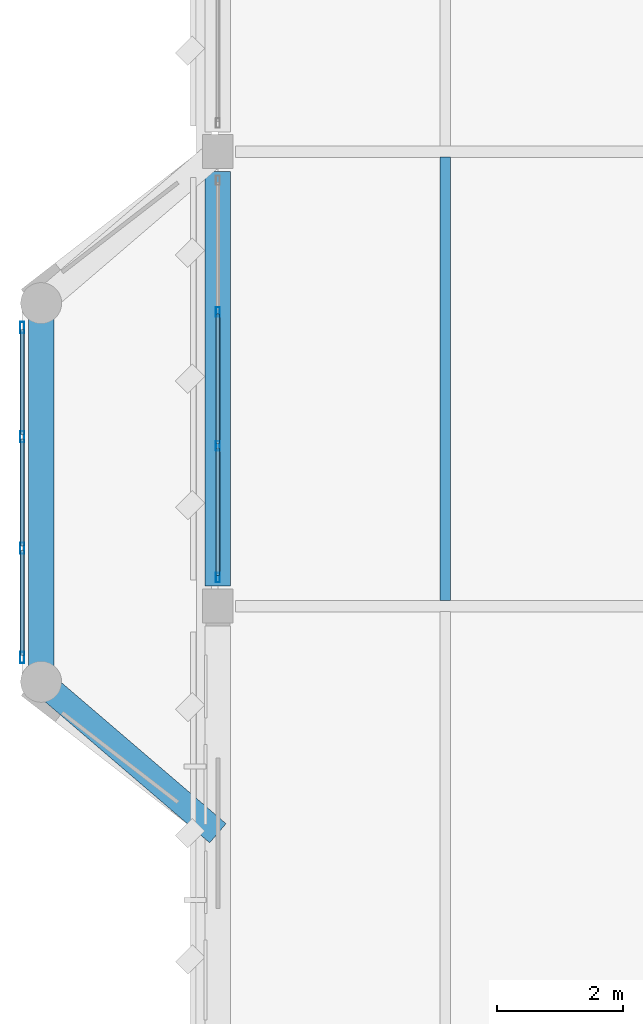
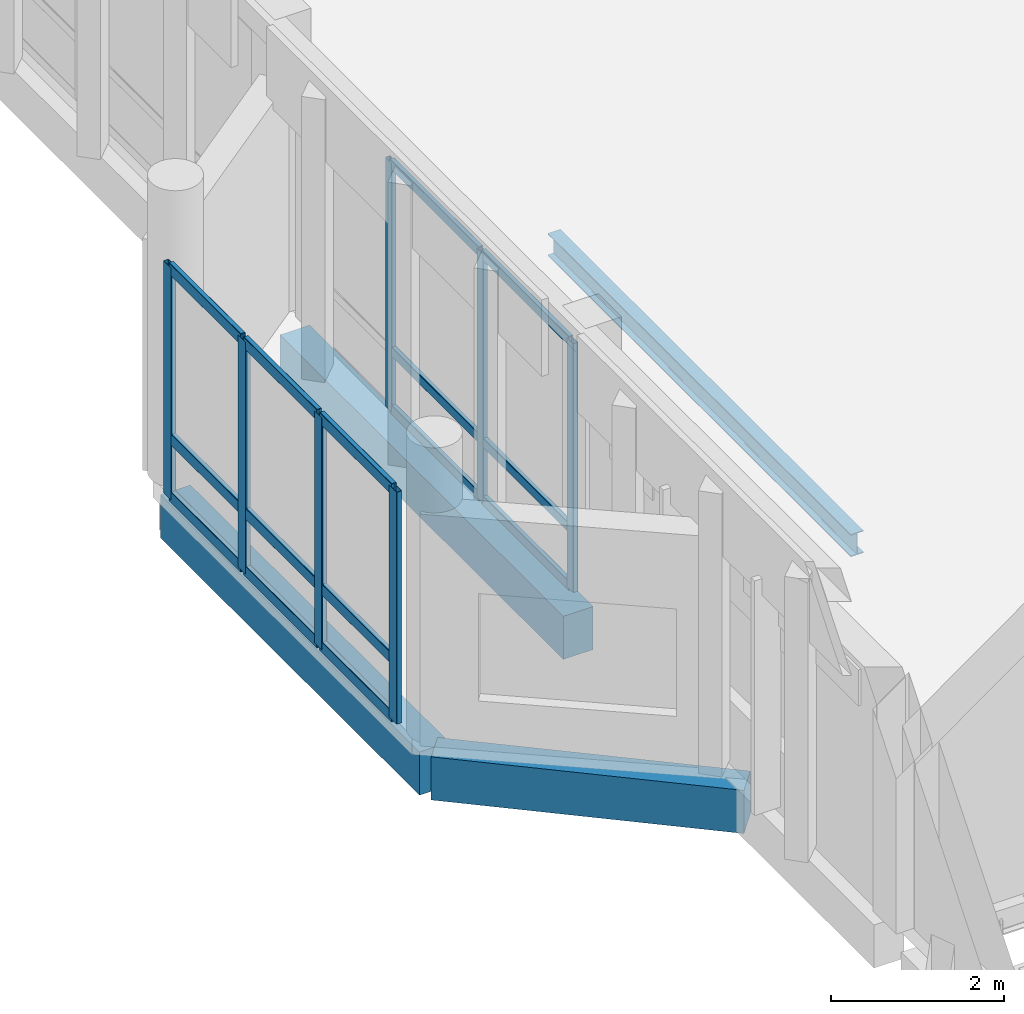
# One storey, part 13 of 72: 22 members, 4 beams, 2 elements without a shape of their own.
"""IFC4 building model written with IfcOpenShell, lengths in metres."""

from ifc_helpers import new_model, si_unit, direction, frame, origin, origin_2d, place, context, subcontext, project, spatial, rectangle, hollow_rectangle, i_section, extrude, material, material_profile, profile_set, type_object, element, aggregate, save


model = new_model("IFC4")

# Units and contexts
model_context = context("Model", 3, precision=1e-05, world=origin(), true_north=direction((0.0, 1.0)))
body_context = subcontext(model_context, "Body", "Model", "MODEL_VIEW")
ifc_project = project(units=[si_unit("LENGTHUNIT", "METRE"), si_unit("AREAUNIT", "SQUARE_METRE"), si_unit("VOLUMEUNIT", "CUBIC_METRE"), si_unit("PLANEANGLEUNIT", "RADIAN"), si_unit("MASSUNIT", "GRAM", prefix="KILO")], contexts=[model_context])

# Site, building, storey
site_placement = place(None, origin())
site = spatial("IfcSite", under=ifc_project, at=site_placement, CompositionType="ELEMENT")
building_placement = place(site_placement, origin())
building = spatial("IfcBuilding", under=site, at=building_placement, Name="Lusvemor Sports Hall", CompositionType="ELEMENT")
storey_placement = place(building_placement, frame((0.0, 0.0, 15.0)))
storey = spatial("IfcBuildingStorey", under=building, at=storey_placement, Name="L03", CompositionType="ELEMENT", Elevation=15.0)

# Curtain wall, members
ifc_material_1 = material(Name="Thermally broken bronze-anodized aluminium", Category="aluminium")
curtain_wall_type_1 = type_object("IfcCurtainWallType", Name="CW_FOYER_A", PredefinedType="NOTDEFINED", material=ifc_material_1)
curtain_wall_1_placement = place(storey_placement, origin())
curtain_wall_1 = element("IfcCurtainWall", 1, at=curtain_wall_1_placement, inside=storey, type_object=curtain_wall_type_1, Name="Curtain Wall CW-BOW-W2-L03-M", PredefinedType="NOTDEFINED")
ifc_material_2 = material(Name="Thermally broken bronze-anodized aluminium", Category="aluminium")
ifc_material_profile_1 = material_profile(ifc_material_2, hollow_rectangle(XDim=0.070068359375, YDim=0.179931640625, WallThickness=0.0048828125, InnerFilletRadius=0.0048828125, OuterFilletRadius=0.010009765625, at=origin_2d()), Name="CWMUL180x70x5")
ifc_profile_set_1 = profile_set([ifc_material_profile_1], Name="Thermally broken bronze-anodized aluminium")
member_type_1 = type_object("IfcMemberType", Name="CW_MUL_A", PredefinedType="MULLION", material=ifc_profile_set_1)
member_1_placement = place(storey_placement, frame((-3.10009765625, 81.985107421875, 0.0), z_axis=(0.0, 0.0, 1.0), x_axis=(-1.0, 0.0, 0.0)))
member_1 = element("IfcMember", 2, at=member_1_placement, type_object=member_type_1, Name="CW01 mullion 1", PredefinedType="MULLION", context=body_context, shape_type="SweptSolid", body=[
    extrude(hollow_rectangle(XDim=0.070068359375, YDim=0.179931640625, WallThickness=0.0048828125, InnerFilletRadius=0.0048828125, OuterFilletRadius=0.010009765625, at=origin_2d()), origin(), (0.0, 0.0, 1.0), 3.280029296875),
])
member_2_placement = place(storey_placement, frame((-3.10009765625, 83.716552734375, 0.0), z_axis=(0.0, 0.0, 1.0), x_axis=(-1.0, 0.0, 0.0)))
member_2 = element("IfcMember", 3, at=member_2_placement, type_object=member_type_1, Name="CW01 mullion 2", PredefinedType="MULLION", context=body_context, shape_type="SweptSolid", body=[
    extrude(hollow_rectangle(XDim=0.070068359375, YDim=0.179931640625, WallThickness=0.0048828125, InnerFilletRadius=0.0048828125, OuterFilletRadius=0.010009765625, at=origin_2d()), origin(), (0.0, 0.0, 1.0), 3.280029296875),
])
member_3_placement = place(storey_placement, frame((-3.10009765625, 85.4833984375, 0.0), z_axis=(0.0, 0.0, 1.0), x_axis=(-1.0, 0.0, 0.0)))
member_3 = element("IfcMember", 4, at=member_3_placement, type_object=member_type_1, Name="CW01 mullion 3", PredefinedType="MULLION", context=body_context, shape_type="SweptSolid", body=[
    extrude(hollow_rectangle(XDim=0.070068359375, YDim=0.179931640625, WallThickness=0.0048828125, InnerFilletRadius=0.0048828125, OuterFilletRadius=0.010009765625, at=origin_2d()), origin(), (0.0, 0.0, 1.0), 3.280029296875),
])
member_4_placement = place(storey_placement, frame((-3.10009765625, 87.215087890625, 0.0), z_axis=(0.0, 0.0, 1.0), x_axis=(-1.0, 0.0, 0.0)))
member_4 = element("IfcMember", 5, at=member_4_placement, type_object=member_type_1, Name="CW01 mullion 4", PredefinedType="MULLION", context=body_context, shape_type="SweptSolid", body=[
    extrude(hollow_rectangle(XDim=0.070068359375, YDim=0.179931640625, WallThickness=0.0048828125, InnerFilletRadius=0.0048828125, OuterFilletRadius=0.010009765625, at=origin_2d()), origin(), (0.0, 0.0, 1.0), 3.280029296875),
])

ifc_material_3 = material(Name="Thermally broken bronze-anodized aluminium", Category="aluminium")
curtain_wall_type_2 = type_object("IfcCurtainWallType", Name="CW_WING_B", PredefinedType="NOTDEFINED", material=ifc_material_3)
curtain_wall_2_placement = place(storey_placement, origin())
curtain_wall_2 = element("IfcCurtainWall", 6, at=curtain_wall_2_placement, inside=storey, type_object=curtain_wall_type_2, Name="Curtain Wall CW-L03-W-0-4", PredefinedType="NOTDEFINED")
ifc_material_4 = material(Name="Thermally broken bronze-anodized aluminium", Category="aluminium")
ifc_material_profile_2 = material_profile(ifc_material_4, hollow_rectangle(XDim=0.06494140625, YDim=0.14990234375, WallThickness=0.00390625, InnerFilletRadius=0.00390625, OuterFilletRadius=0.008056640625, at=origin_2d()), Name="CWMUL150x65x4")
ifc_profile_set_2 = profile_set([ifc_material_profile_2], Name="Thermally broken bronze-anodized aluminium")
member_type_2 = type_object("IfcMemberType", Name="CW_MUL_B", PredefinedType="MULLION", material=ifc_profile_set_2)
member_5_placement = place(storey_placement, frame((0.0, 83.25244140625, 0.0), z_axis=(0.0, 0.0, 1.0), x_axis=(-1.0, 0.0, 0.0)))
member_5 = element("IfcMember", 7, at=member_5_placement, type_object=member_type_2, Name="CW02 mullion 1", PredefinedType="MULLION", context=body_context, shape_type="SweptSolid", body=[
    extrude(hollow_rectangle(XDim=0.06494140625, YDim=0.14990234375, WallThickness=0.00390625, InnerFilletRadius=0.00390625, OuterFilletRadius=0.008056640625, at=origin_2d()), origin(), (0.0, 0.0, 1.0), 3.52001953125),
])
member_6_placement = place(storey_placement, frame((0.0, 85.340087890625, 0.0), z_axis=(0.0, 0.0, 1.0), x_axis=(-1.0, 0.0, 0.0)))
member_6 = element("IfcMember", 8, at=member_6_placement, type_object=member_type_2, Name="CW02 mullion 2", PredefinedType="MULLION", context=body_context, shape_type="SweptSolid", body=[
    extrude(hollow_rectangle(XDim=0.06494140625, YDim=0.14990234375, WallThickness=0.00390625, InnerFilletRadius=0.00390625, OuterFilletRadius=0.008056640625, at=origin_2d()), origin(), (0.0, 0.0, 1.0), 3.52001953125),
])
member_7_placement = place(storey_placement, frame((0.0, 87.4599609375, 0.0), z_axis=(0.0, 0.0, 1.0), x_axis=(-1.0, 0.0, 0.0)))
member_7 = element("IfcMember", 9, at=member_7_placement, type_object=member_type_2, Name="CW02 mullion 3", PredefinedType="MULLION", context=body_context, shape_type="SweptSolid", body=[
    extrude(hollow_rectangle(XDim=0.06494140625, YDim=0.14990234375, WallThickness=0.00390625, InnerFilletRadius=0.00390625, OuterFilletRadius=0.008056640625, at=origin_2d()), origin(), (0.0, 0.0, 1.0), 3.52001953125),
])

# Member
ifc_material_5 = material(Name="Thermally broken bronze-anodized aluminium", Category="aluminium")
ifc_material_profile_3 = material_profile(ifc_material_5, hollow_rectangle(XDim=0.06494140625, YDim=0.159912109375, WallThickness=0.00390625, InnerFilletRadius=0.00390625, OuterFilletRadius=0.008056640625, at=origin_2d()), Name="CWTRN160x65x4")
ifc_profile_set_3 = profile_set([ifc_material_profile_3], Name="Thermally broken bronze-anodized aluminium")
member_type_3 = type_object("IfcMemberType", Name="CW_TRN_A", PredefinedType="USERDEFINED", material=ifc_profile_set_3)
member_8_placement = place(storey_placement, frame((-3.10009765625, 82.02001953125, 0.032470703125), z_axis=(0.0, 1.0, 0.0), x_axis=(-1.0, 0.0, 0.0)))
member_8 = element("IfcMember", 10, at=member_8_placement, type_object=member_type_3, Name="CW01 transom 1.1", ObjectType="TRANSOM", PredefinedType="USERDEFINED", context=body_context, shape_type="SweptSolid", body=[
    extrude(hollow_rectangle(XDim=0.06494140625, YDim=0.159912109375, WallThickness=0.00390625, InnerFilletRadius=0.00390625, OuterFilletRadius=0.008056640625, at=origin_2d()), origin(), (0.0, 0.0, 1.0), 1.66162109375),
])

member_9_placement = place(storey_placement, frame((-3.10009765625, 82.02001953125, 0.85009765625), z_axis=(0.0, 1.0, 0.0), x_axis=(-1.0, 0.0, 0.0)))
member_9 = element("IfcMember", 11, at=member_9_placement, type_object=member_type_3, Name="CW01 transom 1.2", ObjectType="TRANSOM", PredefinedType="USERDEFINED", context=body_context, shape_type="SweptSolid", body=[
    extrude(hollow_rectangle(XDim=0.06494140625, YDim=0.159912109375, WallThickness=0.00390625, InnerFilletRadius=0.00390625, OuterFilletRadius=0.008056640625, at=origin_2d()), origin(), (0.0, 0.0, 1.0), 1.66162109375),
])

member_10_placement = place(storey_placement, frame((-3.10009765625, 82.02001953125, 3.24755859375), z_axis=(0.0, 1.0, 0.0), x_axis=(-1.0, 0.0, 0.0)))
member_10 = element("IfcMember", 12, at=member_10_placement, type_object=member_type_3, Name="CW01 transom 1.3", ObjectType="TRANSOM", PredefinedType="USERDEFINED", context=body_context, shape_type="SweptSolid", body=[
    extrude(hollow_rectangle(XDim=0.06494140625, YDim=0.159912109375, WallThickness=0.00390625, InnerFilletRadius=0.00390625, OuterFilletRadius=0.008056640625, at=origin_2d()), origin(), (0.0, 0.0, 1.0), 1.66162109375),
])

member_11_placement = place(storey_placement, frame((-3.10009765625, 83.751708984375, 0.032470703125), z_axis=(0.0, 1.0, 0.0), x_axis=(-1.0, 0.0, 0.0)))
member_11 = element("IfcMember", 13, at=member_11_placement, type_object=member_type_3, Name="CW01 transom 2.1", ObjectType="TRANSOM", PredefinedType="USERDEFINED", context=body_context, shape_type="SweptSolid", body=[
    extrude(hollow_rectangle(XDim=0.06494140625, YDim=0.159912109375, WallThickness=0.00390625, InnerFilletRadius=0.00390625, OuterFilletRadius=0.008056640625, at=origin_2d()), origin(), (0.0, 0.0, 1.0), 1.696533203125),
])

member_12_placement = place(storey_placement, frame((-3.10009765625, 83.751708984375, 0.85009765625), z_axis=(0.0, 1.0, 0.0), x_axis=(-1.0, 0.0, 0.0)))
member_12 = element("IfcMember", 14, at=member_12_placement, type_object=member_type_3, Name="CW01 transom 2.2", ObjectType="TRANSOM", PredefinedType="USERDEFINED", context=body_context, shape_type="SweptSolid", body=[
    extrude(hollow_rectangle(XDim=0.06494140625, YDim=0.159912109375, WallThickness=0.00390625, InnerFilletRadius=0.00390625, OuterFilletRadius=0.008056640625, at=origin_2d()), origin(), (0.0, 0.0, 1.0), 1.696533203125),
])

member_13_placement = place(storey_placement, frame((-3.10009765625, 83.751708984375, 3.24755859375), z_axis=(0.0, 1.0, 0.0), x_axis=(-1.0, 0.0, 0.0)))
member_13 = element("IfcMember", 15, at=member_13_placement, type_object=member_type_3, Name="CW01 transom 2.3", ObjectType="TRANSOM", PredefinedType="USERDEFINED", context=body_context, shape_type="SweptSolid", body=[
    extrude(hollow_rectangle(XDim=0.06494140625, YDim=0.159912109375, WallThickness=0.00390625, InnerFilletRadius=0.00390625, OuterFilletRadius=0.008056640625, at=origin_2d()), origin(), (0.0, 0.0, 1.0), 1.696533203125),
])

member_14_placement = place(storey_placement, frame((-3.10009765625, 85.518310546875, 0.032470703125), z_axis=(0.0, 1.0, 0.0), x_axis=(-1.0, 0.0, 0.0)))
member_14 = element("IfcMember", 16, at=member_14_placement, type_object=member_type_3, Name="CW01 transom 3.1", ObjectType="TRANSOM", PredefinedType="USERDEFINED", context=body_context, shape_type="SweptSolid", body=[
    extrude(hollow_rectangle(XDim=0.06494140625, YDim=0.159912109375, WallThickness=0.00390625, InnerFilletRadius=0.00390625, OuterFilletRadius=0.008056640625, at=origin_2d()), origin(), (0.0, 0.0, 1.0), 1.66162109375),
])

member_15_placement = place(storey_placement, frame((-3.10009765625, 85.518310546875, 0.85009765625), z_axis=(0.0, 1.0, 0.0), x_axis=(-1.0, 0.0, 0.0)))
member_15 = element("IfcMember", 17, at=member_15_placement, type_object=member_type_3, Name="CW01 transom 3.2", ObjectType="TRANSOM", PredefinedType="USERDEFINED", context=body_context, shape_type="SweptSolid", body=[
    extrude(hollow_rectangle(XDim=0.06494140625, YDim=0.159912109375, WallThickness=0.00390625, InnerFilletRadius=0.00390625, OuterFilletRadius=0.008056640625, at=origin_2d()), origin(), (0.0, 0.0, 1.0), 1.66162109375),
])

member_16_placement = place(storey_placement, frame((-3.10009765625, 85.518310546875, 3.24755859375), z_axis=(0.0, 1.0, 0.0), x_axis=(-1.0, 0.0, 0.0)))
member_16 = element("IfcMember", 18, at=member_16_placement, type_object=member_type_3, Name="CW01 transom 3.3", ObjectType="TRANSOM", PredefinedType="USERDEFINED", context=body_context, shape_type="SweptSolid", body=[
    extrude(hollow_rectangle(XDim=0.06494140625, YDim=0.159912109375, WallThickness=0.00390625, InnerFilletRadius=0.00390625, OuterFilletRadius=0.008056640625, at=origin_2d()), origin(), (0.0, 0.0, 1.0), 1.66162109375),
])

aggregate(curtain_wall_1, [member_1, member_2, member_3, member_4, member_8, member_9, member_10, member_11, member_12, member_13, member_14, member_15, member_16])

ifc_material_6 = material(Name="Thermally broken bronze-anodized aluminium", Category="aluminium")
ifc_material_profile_4 = material_profile(ifc_material_6, hollow_rectangle(XDim=0.06005859375, YDim=0.135009765625, WallThickness=0.00390625, InnerFilletRadius=0.00390625, OuterFilletRadius=0.008056640625, at=origin_2d()), Name="CWTRN135x60x4")
ifc_profile_set_4 = profile_set([ifc_material_profile_4], Name="Thermally broken bronze-anodized aluminium")
member_type_4 = type_object("IfcMemberType", Name="CW_TRN_B", PredefinedType="USERDEFINED", material=ifc_profile_set_4)
member_17_placement = place(storey_placement, frame((0.0, 83.284912109375, 0.030029296875), z_axis=(0.0, 1.0, 0.0), x_axis=(-1.0, 0.0, 0.0)))
member_17 = element("IfcMember", 19, at=member_17_placement, type_object=member_type_4, Name="CW02 transom 1.1", ObjectType="TRANSOM", PredefinedType="USERDEFINED", context=body_context, shape_type="SweptSolid", body=[
    extrude(hollow_rectangle(XDim=0.06005859375, YDim=0.135009765625, WallThickness=0.00390625, InnerFilletRadius=0.00390625, OuterFilletRadius=0.008056640625, at=origin_2d()), origin(), (0.0, 0.0, 1.0), 2.022705078125),
])

member_18_placement = place(storey_placement, frame((0.0, 83.284912109375, 0.85009765625), z_axis=(0.0, 1.0, 0.0), x_axis=(-1.0, 0.0, 0.0)))
member_18 = element("IfcMember", 20, at=member_18_placement, type_object=member_type_4, Name="CW02 transom 1.2", ObjectType="TRANSOM", PredefinedType="USERDEFINED", context=body_context, shape_type="SweptSolid", body=[
    extrude(hollow_rectangle(XDim=0.06005859375, YDim=0.135009765625, WallThickness=0.00390625, InnerFilletRadius=0.00390625, OuterFilletRadius=0.008056640625, at=origin_2d()), origin(), (0.0, 0.0, 1.0), 2.022705078125),
])

member_19_placement = place(storey_placement, frame((0.0, 83.284912109375, 3.489990234375), z_axis=(0.0, 1.0, 0.0), x_axis=(-1.0, 0.0, 0.0)))
member_19 = element("IfcMember", 21, at=member_19_placement, type_object=member_type_4, Name="CW02 transom 1.3", ObjectType="TRANSOM", PredefinedType="USERDEFINED", context=body_context, shape_type="SweptSolid", body=[
    extrude(hollow_rectangle(XDim=0.06005859375, YDim=0.135009765625, WallThickness=0.00390625, InnerFilletRadius=0.00390625, OuterFilletRadius=0.008056640625, at=origin_2d()), origin(), (0.0, 0.0, 1.0), 2.022705078125),
])

member_20_placement = place(storey_placement, frame((0.0, 85.37255859375, 0.030029296875), z_axis=(0.0, 1.0, 0.0), x_axis=(-1.0, 0.0, 0.0)))
member_20 = element("IfcMember", 22, at=member_20_placement, type_object=member_type_4, Name="CW02 transom 2.1", ObjectType="TRANSOM", PredefinedType="USERDEFINED", context=body_context, shape_type="SweptSolid", body=[
    extrude(hollow_rectangle(XDim=0.06005859375, YDim=0.135009765625, WallThickness=0.00390625, InnerFilletRadius=0.00390625, OuterFilletRadius=0.008056640625, at=origin_2d()), origin(), (0.0, 0.0, 1.0), 2.054931640625),
])

member_21_placement = place(storey_placement, frame((0.0, 85.37255859375, 0.85009765625), z_axis=(0.0, 1.0, 0.0), x_axis=(-1.0, 0.0, 0.0)))
member_21 = element("IfcMember", 23, at=member_21_placement, type_object=member_type_4, Name="CW02 transom 2.2", ObjectType="TRANSOM", PredefinedType="USERDEFINED", context=body_context, shape_type="SweptSolid", body=[
    extrude(hollow_rectangle(XDim=0.06005859375, YDim=0.135009765625, WallThickness=0.00390625, InnerFilletRadius=0.00390625, OuterFilletRadius=0.008056640625, at=origin_2d()), origin(), (0.0, 0.0, 1.0), 2.054931640625),
])

member_22_placement = place(storey_placement, frame((0.0, 85.37255859375, 3.489990234375), z_axis=(0.0, 1.0, 0.0), x_axis=(-1.0, 0.0, 0.0)))
member_22 = element("IfcMember", 24, at=member_22_placement, type_object=member_type_4, Name="CW02 transom 2.3", ObjectType="TRANSOM", PredefinedType="USERDEFINED", context=body_context, shape_type="SweptSolid", body=[
    extrude(hollow_rectangle(XDim=0.06005859375, YDim=0.135009765625, WallThickness=0.00390625, InnerFilletRadius=0.00390625, OuterFilletRadius=0.008056640625, at=origin_2d()), origin(), (0.0, 0.0, 1.0), 2.054931640625),
])

aggregate(curtain_wall_2, [member_5, member_6, member_7, member_17, member_18, member_19, member_20, member_21, member_22])

# Beams
ifc_material_7 = material(Name="Steel S355", Category="steel")
ifc_material_profile_5 = material_profile(ifc_material_7, i_section(OverallWidth=0.1669921875, OverallDepth=0.31689453125, WebThickness=0.007568359375, FlangeThickness=0.01318359375, FilletRadius=0.014892578125, at=origin_2d()), Name="W310x52.0")
ifc_profile_set_5 = profile_set([ifc_material_profile_5], Name="Steel S355")
beam_type_1 = type_object("IfcBeamType", Name="JOIST_ST_310M", PredefinedType="JOIST", material=ifc_profile_set_5)
beam_1_placement = place(storey_placement, frame((3.60009765625, 82.886474609375, -0.402587890625), z_axis=(0.0, 1.0, 0.0), x_axis=(-1.0, 0.0, 0.0)))
element("IfcBeam", 25, at=beam_1_placement, inside=storey, type_object=beam_type_1, Name="Secondary Joist L03 1-2/L-M #1", PredefinedType="JOIST", context=body_context, shape_type="SweptSolid", body=[
    extrude(i_section(OverallWidth=0.1669921875, OverallDepth=0.31689453125, WebThickness=0.007568359375, FlangeThickness=0.01318359375, FilletRadius=0.014892578125, at=origin_2d()), origin(), (0.0, 0.0, 1.0), 7.027099609375),
])
ifc_material_8 = material(Name="Concrete C40/50", Category="concrete")
ifc_material_profile_6 = material_profile(ifc_material_8, rectangle(XDim=0.39990234375, YDim=0.610107421875, at=origin_2d()), Name="RC400x610")
ifc_profile_set_6 = profile_set([ifc_material_profile_6], Name="Concrete C40/50")
beam_type_2 = type_object("IfcBeamType", Name="SPAND_EXT_650", PredefinedType="SPANDREL", material=ifc_profile_set_6)
beam_2_placement = place(storey_placement, frame((0.0, 83.115966796875, -0.544921875), z_axis=(0.0, 1.0, 0.0), x_axis=(-1.0, 0.0, 0.0)))
element("IfcBeam", 26, at=beam_2_placement, inside=storey, type_object=beam_type_2, Name="Beam L03 1:L-M", PredefinedType="SPANDREL", context=body_context, shape_type="SweptSolid", body=[
    extrude(rectangle(XDim=0.39990234375, YDim=0.610107421875, at=origin_2d()), origin(), (0.0, 0.0, 1.0), 6.568115234375),
])
beam_3_placement = place(storey_placement, frame((0.0, 79.199951171875, -0.56494140625), z_axis=(-0.759242583462, 0.650807728487, 0.0), x_axis=(-0.650807728487, -0.759242583462, 0.0)))
element("IfcBeam", 27, at=beam_3_placement, inside=storey, type_object=beam_type_2, Name="Bow Pavilion Edge Beam BOW-W2 L03-1", PredefinedType="SPANDREL", context=body_context, shape_type="SweptSolid", body=[
    extrude(rectangle(XDim=0.39990234375, YDim=0.610107421875, at=origin_2d()), origin(), (0.0, 0.0, 1.0), 3.68798828125),
])
beam_4_placement = place(storey_placement, frame((-2.800048828125, 81.60009765625, -0.56494140625), z_axis=(0.0, 1.0, 0.0), x_axis=(-1.0, 0.0, 0.0)))
element("IfcBeam", 28, at=beam_4_placement, inside=storey, type_object=beam_type_2, Name="Bow Pavilion Edge Beam BOW-W2 L03-2", PredefinedType="SPANDREL", context=body_context, shape_type="SweptSolid", body=[
    extrude(rectangle(XDim=0.39990234375, YDim=0.610107421875, at=origin_2d()), origin(), (0.0, 0.0, 1.0), 6.0),
])

save(model, "model.ifc")
